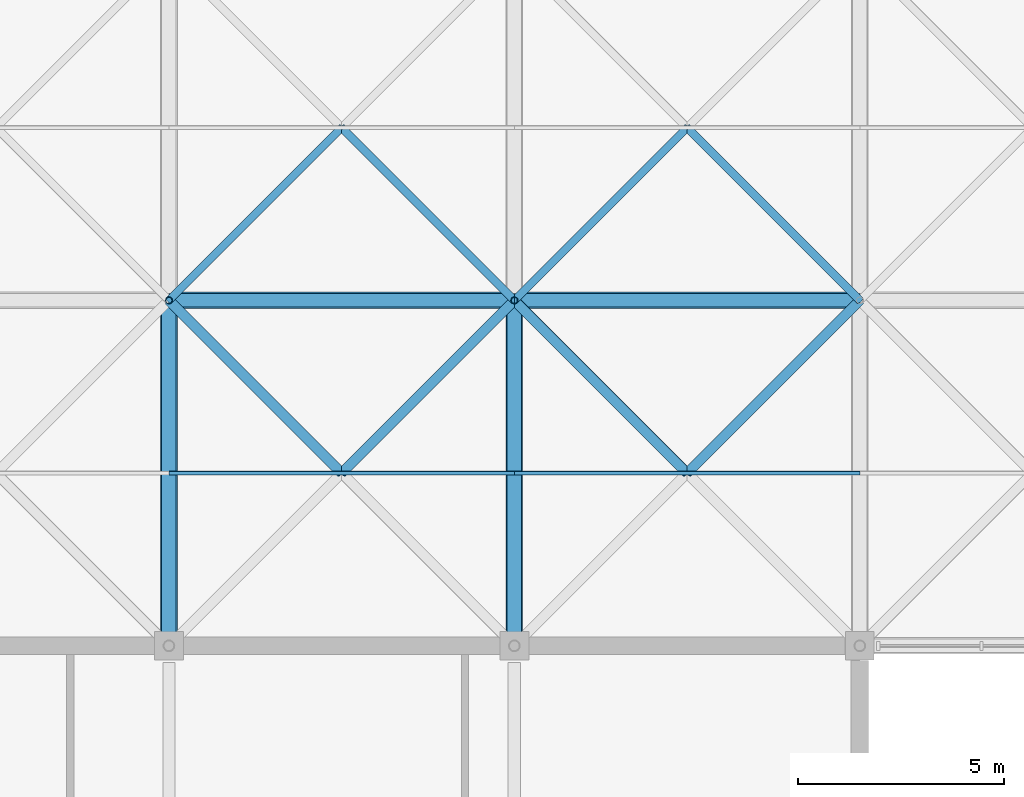
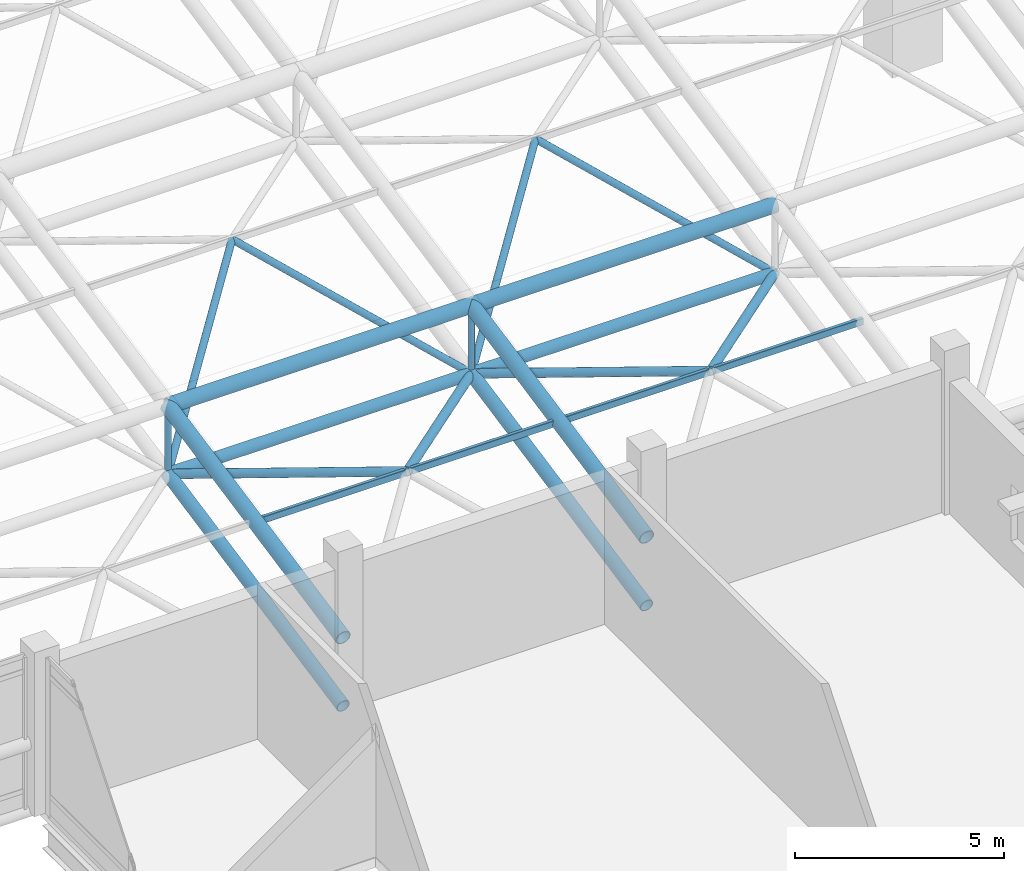
# One storey, part 30 of 110: 20 members.
"""IFC4 building model written with IfcOpenShell, lengths in metres."""

import ifcopenshell
import ifcopenshell.guid

model = None  # the IFC model being written
_history = None  # IfcOwnerHistory: only IFC2X3 demands one
_inside = {}  # id of a spatial element -> (the spatial element, [elements in it])
_under = {}  # id of a project, library or spatial element -> (it, [spatial elements below it])
_declared = {}  # id of a project -> (the project, [libraries it declares])
_typed = {}  # id of a type object -> (the type object, [elements of that type])
_made_of = {}  # id of a material, layer set ... -> (it, [elements and type objects made of it])


def new_model(schema):
    """Start an empty IFC model of exactly this schema.

    Asked for "IFC4X3", IfcOpenShell would pick the latest addendum, in which some entities
    have other attributes; the version numbers below select the first issue.
    IFC2X3 requires an IfcOwnerHistory on every rooted entity: one is made here for all.
    """
    global model, _history
    if schema == "IFC4X3":
        model = ifcopenshell.file(schema_version=(4, 3, 0, 0))
    else:
        model = ifcopenshell.file(schema=schema)
    _inside.clear()
    _under.clear()
    _declared.clear()
    _typed.clear()
    _made_of.clear()
    _history = None
    if model.schema == "IFC2X3":
        org = make("IfcOrganization", Name="unknown")
        user = make(
            "IfcPersonAndOrganization",
            ThePerson=make("IfcPerson", FamilyName="unknown"),
            TheOrganization=org,
        )
        app = make(
            "IfcApplication",
            ApplicationDeveloper=org,
            Version="unknown",
            ApplicationFullName="unknown",
            ApplicationIdentifier="unknown",
        )
        _history = make(
            "IfcOwnerHistory",
            OwningUser=user,
            OwningApplication=app,
            ChangeAction="ADDED",
            CreationDate=0,
        )
    return model


def make(cls, **values):
    """One entity of the class cls with the attributes given. An attribute that is None is left unset."""
    return model.create_entity(
        cls, **{name: value for name, value in values.items() if value is not None}
    )


def rooted(cls, **values):
    """An entity with a GlobalId (a new one), such as an element, a storey or a relation."""
    return make(cls, GlobalId=ifcopenshell.guid.new(), OwnerHistory=_history, **values)


def si_unit(unit_type, name, prefix=None):
    """IfcSIUnit, for example si_unit("LENGTHUNIT", "METRE", prefix="MILLI")."""
    return make("IfcSIUnit", UnitType=unit_type, Prefix=prefix, Name=name)


def assignment(units):
    """IfcUnitAssignment: the units of a project."""
    return None if units is None else make("IfcUnitAssignment", Units=units)


def point(xyz):
    """IfcCartesianPoint."""
    return None if xyz is None else make("IfcCartesianPoint", Coordinates=xyz)


def direction(xyz):
    """IfcDirection."""
    return None if xyz is None else make("IfcDirection", DirectionRatios=xyz)


def frame(location, z_axis=None, x_axis=None):
    """IfcAxis2Placement3D, a coordinate frame: its origin and axes. An axis left out is left unset."""
    return make(
        "IfcAxis2Placement3D",
        Location=point(location),
        Axis=direction(z_axis),
        RefDirection=direction(x_axis),
    )


def frame_2d(location, x_axis=None):
    """IfcAxis2Placement2D, a coordinate frame in the plane: its origin and x axis."""
    return make(
        "IfcAxis2Placement2D", Location=point(location), RefDirection=direction(x_axis)
    )


def origin():
    """The frame at (0, 0, 0) with its axes left unset."""
    return frame((0.0, 0.0, 0.0))


def origin_2d():
    """The frame at (0, 0) in the plane with its x axis left unset."""
    return frame_2d((0.0, 0.0))


def place(relative_to, where):
    """IfcLocalPlacement: puts the frame where relative to a parent placement (None: the world)."""
    return make(
        "IfcLocalPlacement", PlacementRelTo=relative_to, RelativePlacement=where
    )


def context(
    kind, dimensions, precision=None, world=None, true_north=None, identifier=None
):
    """IfcGeometricRepresentationContext, for example the 3D "Model" context."""
    return make(
        "IfcGeometricRepresentationContext",
        ContextIdentifier=identifier,
        ContextType=kind,
        CoordinateSpaceDimension=dimensions,
        Precision=precision,
        WorldCoordinateSystem=world,
        TrueNorth=true_north,
    )


def subcontext(parent, identifier, kind, view, scale=None):
    """IfcGeometricRepresentationSubContext, for example "Body" below "Model"."""
    return make(
        "IfcGeometricRepresentationSubContext",
        ContextIdentifier=identifier,
        ContextType=kind,
        ParentContext=parent,
        TargetScale=scale,
        TargetView=view,
    )


def project(units=None, contexts=None):
    """IfcProject with its units and contexts."""
    return rooted(
        "IfcProject",
        Name="project",
        RepresentationContexts=contexts,
        UnitsInContext=assignment(units),
    )


def spatial(cls, under=None, at=None, **own):
    """A site, building, storey or space (cls), placed at a placement, below another one or the project."""
    s = rooted(cls, ObjectPlacement=at, **own)
    if under is not None:
        _under.setdefault(under.id(), (under, []))[1].append(s)
    return s


def profile(cls, at=None, kind="AREA", **sizes):
    """A parametric profile (cls). Its sizes go by their IFC names, for example OverallWidth=200.0."""
    return make(cls, ProfileType=kind, Position=at, **sizes)


def hollow_rectangle(**sizes):
    """IfcRectangleHollowProfileDef."""
    return profile("IfcRectangleHollowProfileDef", **sizes)


def hollow_circle(**sizes):
    """IfcCircleHollowProfileDef."""
    return profile("IfcCircleHollowProfileDef", **sizes)


def extrude(swept, where, along, depth):
    """IfcExtrudedAreaSolid: the profile swept, set in the frame where, extruded along a direction by depth."""
    return make(
        "IfcExtrudedAreaSolid",
        SweptArea=swept,
        Position=where,
        ExtrudedDirection=direction(along),
        Depth=depth,
    )


def shape(context_of_items, identifier, shape_type, items):
    """IfcShapeRepresentation: the items that make up one representation, for example the "Body"."""
    return make(
        "IfcShapeRepresentation",
        ContextOfItems=context_of_items,
        RepresentationIdentifier=identifier,
        RepresentationType=shape_type,
        Items=items,
    )


def material(Name=None, Category=None):
    """IfcMaterial."""
    return make("IfcMaterial", Name=Name, Category=Category)


def material_profile(
    of_material, cross_section, Name=None, Category=None, Priority=None
):
    """IfcMaterialProfile: a cross section and its material."""
    return make(
        "IfcMaterialProfile",
        Name=Name,
        Material=of_material,
        Profile=cross_section,
        Priority=Priority,
        Category=Category,
    )


def profile_set(profiles, Name=None, composite=None):
    """IfcMaterialProfileSet."""
    return make(
        "IfcMaterialProfileSet",
        Name=Name,
        MaterialProfiles=profiles,
        CompositeProfile=composite,
    )


def made_of(thing, what):
    """Note that an element or type object is made of a material, layer set ...; save() writes the relation."""
    if what is not None:
        _made_of.setdefault(what.id(), (what, []))[1].append(thing)
    return thing


def type_object(cls, material=None, **own):
    """A type object (cls), such as IfcWallType, which elements share."""
    return made_of(rooted(cls, **own), material)


def element(
    cls,
    number,
    at=None,
    inside=None,
    cuts=None,
    type_object=None,
    material=None,
    context=None,
    identifier="Body",
    shape_type=None,
    held_by="IfcProductDefinitionShape",
    body=None,
    shapes=None,
    **own,
):
    """One element of the class cls, such as IfcWall. Its Tag is "e" and its number.

    at: its placement. inside: the storey or other place that contains it. cuts: it is an
    opening in that element (IfcRelVoidsElement). A single representation is given by context,
    identifier, shape_type and body (its items); several are given by shapes. held_by: the class
    of the entity that holds the representations. save() writes the other relations.
    """
    e = rooted(cls, Tag="e%d" % number, ObjectPlacement=at, **own)
    if body is not None:
        shapes = [shape(context, identifier, shape_type, body)]
    if shapes is not None:
        e.Representation = make(held_by, Representations=shapes)
    if inside is not None:
        _inside.setdefault(inside.id(), (inside, []))[1].append(e)
    if cuts is not None:
        rooted(
            "IfcRelVoidsElement", RelatingBuildingElement=cuts, RelatedOpeningElement=e
        )
    if type_object is not None:
        _typed.setdefault(type_object.id(), (type_object, []))[1].append(e)
    return made_of(e, material)


def aggregate(whole, parts):
    """IfcRelAggregates: a whole, such as a stair, and the parts it consists of."""
    return rooted("IfcRelAggregates", RelatingObject=whole, RelatedObjects=parts)


def save(model, path):
    """Write the relations noted so far, then the file.

    IfcRelAggregates (storeys below a building ...), IfcRelContainedInSpatialStructure (elements
    in a storey), IfcRelDefinesByType, IfcRelAssociatesMaterial and IfcRelDeclares: one each for
    every whole, place, type object, material and project.
    """
    for whole, parts in _under.values():
        aggregate(whole, parts)
    for where, things in _inside.values():
        rooted(
            "IfcRelContainedInSpatialStructure",
            RelatedElements=things,
            RelatingStructure=where,
        )
    for kind, things in _typed.values():
        rooted("IfcRelDefinesByType", RelatedObjects=things, RelatingType=kind)
    for what, things in _made_of.values():
        rooted("IfcRelAssociatesMaterial", RelatedObjects=things, RelatingMaterial=what)
    for by, libraries in _declared.values():
        rooted("IfcRelDeclares", RelatingContext=by, RelatedDefinitions=libraries)
    model.write(path)


model = new_model("IFC4")

# Units and contexts
model_context = context("Model", 3, precision=1e-05, world=origin(), true_north=direction((0.0, 1.0)))
body_context = subcontext(model_context, "Body", "Model", "MODEL_VIEW")
ifc_project = project(units=[si_unit("LENGTHUNIT", "METRE"), si_unit("AREAUNIT", "SQUARE_METRE"), si_unit("VOLUMEUNIT", "CUBIC_METRE"), si_unit("PLANEANGLEUNIT", "RADIAN"), si_unit("MASSUNIT", "GRAM", prefix="KILO")], contexts=[model_context])

# Site, building, storey
site_placement = place(None, origin())
site = spatial("IfcSite", under=ifc_project, at=site_placement, CompositionType="ELEMENT")
building_placement = place(site_placement, origin())
building = spatial("IfcBuilding", under=site, at=building_placement, Name="Qawsi Khor Wholesale Market", CompositionType="ELEMENT")
storey_placement = place(building_placement, frame((0.0, 0.0, 11.39990234375)))
storey = spatial("IfcBuildingStorey", under=building, at=storey_placement, Name="L02", CompositionType="ELEMENT", Elevation=11.39990234375)

# Members
ifc_material = material(Name="Steel S355", Category="steel")
ifc_material_profile_1 = material_profile(ifc_material, hollow_circle(Radius=0.177734375, WallThickness=0.01611328125, at=origin_2d()), Name="CHS 355.6x16.0")
ifc_profile_set_1 = profile_set([ifc_material_profile_1], Name="Steel S355")
member_type_1 = type_object("IfcMemberType", Name="Space-Frame Bottom Chord CHS 355.6x16.0", PredefinedType="CHORD", material=ifc_profile_set_1)
for number, where, z_axis, x_axis, name in (
    (1, (176.39990234375, 42.0, -0.02978515625), (0.0, 0.980129990483, 0.1983562496), (-1.0, 0.0, 0.0), "Space frame bottom chord Y EH (21,5)"),
    (2, (184.800048828125, 42.0, -0.02978515625), (0.0, 0.980129990483, 0.1983562496), (-1.0, 0.0, 0.0), "Space frame bottom chord Y EH (22,5)"),
):
    element("IfcMember", number, at=place(storey_placement, frame(where, z_axis=z_axis, x_axis=x_axis)), inside=storey, type_object=member_type_1, Name=name, PredefinedType="CHORD", context=body_context, shape_type="SweptSolid", body=[
        extrude(hollow_circle(Radius=0.177734375, WallThickness=0.01611328125, at=origin_2d()), origin(), (0.0, 0.0, 1.0), 8.5703125),
    ])
ifc_material_profile_2 = material_profile(ifc_material, hollow_circle(Radius=0.122314453125, WallThickness=0.012451171875, at=origin_2d()), Name="CHS 244.5x12.5")
ifc_profile_set_2 = profile_set([ifc_material_profile_2], Name="Steel S355")
member_type_2 = type_object("IfcMemberType", Name="Space-Frame Heavy Diagonal CHS 244.5x12.5", PredefinedType="POST", material=ifc_profile_set_2)
member_1_placement = place(storey_placement, frame((184.800048828125, 50.39990234375, 1.670166015625), z_axis=(-0.694216714393, -0.694216714393, 0.190069216113), x_axis=(0.707106781187, -0.707106781187, 0.0)))
element("IfcMember", 3, at=member_1_placement, inside=storey, type_object=member_type_2, Name="Space frame diagonal EH (21,5)-3", PredefinedType="POST", context=body_context, shape_type="SweptSolid", body=[
    extrude(hollow_circle(Radius=0.122314453125, WallThickness=0.012451171875, at=origin_2d()), origin(), (0.0, 0.0, 1.0), 6.0498046875),
])
member_2_placement = place(storey_placement, frame((176.39990234375, 50.39990234375, 1.670166015625), z_axis=(0.694237619642, -0.694197266374, 0.19006389145), x_axis=(0.70708622964, 0.707127332136, 0.0)))
element("IfcMember", 4, at=member_2_placement, inside=storey, type_object=member_type_2, Name="Space frame diagonal EH (21,5)-4", PredefinedType="POST", context=body_context, shape_type="SweptSolid", body=[
    extrude(hollow_circle(Radius=0.122314453125, WallThickness=0.012451171875, at=origin_2d()), origin(), (0.0, 0.0, 1.0), 6.050048828125),
])
for number, where, z_axis, x_axis, name in (
    (5, (193.199951171875, 50.39990234375, 1.670166015625), (-0.694216714393, -0.694216714393, 0.190069216113), (0.707106781187, -0.707106781187, 0.0), "Space frame diagonal EH (22,5)-3"),
    (6, (184.800048828125, 50.39990234375, 1.670166015625), (0.694216714393, -0.694216714393, 0.190069216113), (0.707106781187, 0.707106781187, 0.0), "Space frame diagonal EH (22,5)-4"),
):
    element("IfcMember", number, at=place(storey_placement, frame(where, z_axis=z_axis, x_axis=x_axis)), inside=storey, type_object=member_type_2, Name=name, PredefinedType="POST", context=body_context, shape_type="SweptSolid", body=[
        extrude(hollow_circle(Radius=0.122314453125, WallThickness=0.012451171875, at=origin_2d()), origin(), (0.0, 0.0, 1.0), 6.0498046875),
    ])
ifc_material_profile_3 = material_profile(ifc_material, hollow_rectangle(XDim=0.10009765625, YDim=0.199951171875, WallThickness=0.008056640625, InnerFilletRadius=0.008056640625, OuterFilletRadius=0.01611328125, at=origin_2d()), Name="RHS 200x100x8.0")
ifc_profile_set_3 = profile_set([ifc_material_profile_3], Name="Steel S355")
member_type_3 = type_object("IfcMemberType", Name="Space-Frame Purlin RHS 200x100x8.0", PredefinedType="PURLIN", material=ifc_profile_set_3)
member_3_placement = place(storey_placement, frame((176.39990234375, 46.199951171875, 2.820068359375), z_axis=(1.0, 0.0, 0.0), x_axis=(0.0, 1.0, 0.0)))
element("IfcMember", 7, at=member_3_placement, inside=storey, type_object=member_type_3, Name="Space frame purlin EH (21,5)", PredefinedType="PURLIN", context=body_context, shape_type="SweptSolid", body=[
    extrude(hollow_rectangle(XDim=0.10009765625, YDim=0.199951171875, WallThickness=0.008056640625, InnerFilletRadius=0.008056640625, OuterFilletRadius=0.01611328125, at=origin_2d()), origin(), (0.0, 0.0, 1.0), 8.400146484375),
])
member_4_placement = place(storey_placement, frame((184.800048828125, 46.199951171875, 2.820068359375), z_axis=(1.0, 0.0, 0.0), x_axis=(0.0, 1.0, 0.0)))
element("IfcMember", 8, at=member_4_placement, inside=storey, type_object=member_type_3, Name="Space frame purlin EH (22,5)", PredefinedType="PURLIN", context=body_context, shape_type="SweptSolid", body=[
    extrude(hollow_rectangle(XDim=0.10009765625, YDim=0.199951171875, WallThickness=0.008056640625, InnerFilletRadius=0.008056640625, OuterFilletRadius=0.01611328125, at=origin_2d()), origin(), (0.0, 0.0, 1.0), 8.39990234375),
])
ifc_material_profile_4 = material_profile(ifc_material, hollow_circle(Radius=0.161865234375, WallThickness=0.01611328125, at=origin_2d()), Name="CHS 323.9x16.0")
ifc_profile_set_4 = profile_set([ifc_material_profile_4], Name="Steel S355")
member_type_4 = type_object("IfcMemberType", Name="Space-Frame Secondary Chord CHS 323.9x16.0", PredefinedType="CHORD", material=ifc_profile_set_4)
member_5_placement = place(storey_placement, frame((176.39990234375, 50.39990234375, 1.670166015625), z_axis=(1.0, 0.0, 0.0), x_axis=(0.0, 1.0, 0.0)))
element("IfcMember", 9, at=member_5_placement, inside=storey, type_object=member_type_4, Name="Space frame bottom chord X EH (21,6)", PredefinedType="CHORD", context=body_context, shape_type="SweptSolid", body=[
    extrude(hollow_circle(Radius=0.161865234375, WallThickness=0.01611328125, at=origin_2d()), origin(), (0.0, 0.0, 1.0), 8.400146484375),
])
member_6_placement = place(storey_placement, frame((184.800048828125, 50.39990234375, 1.670166015625), z_axis=(1.0, 0.0, 0.0), x_axis=(0.0, 1.0, 0.0)))
element("IfcMember", 10, at=member_6_placement, inside=storey, type_object=member_type_4, Name="Space frame bottom chord X EH (22,6)", PredefinedType="CHORD", context=body_context, shape_type="SweptSolid", body=[
    extrude(hollow_circle(Radius=0.161865234375, WallThickness=0.01611328125, at=origin_2d()), origin(), (0.0, 0.0, 1.0), 8.39990234375),
])
ifc_material_profile_5 = material_profile(ifc_material, hollow_circle(Radius=0.096923828125, WallThickness=0.008056640625, at=origin_2d()), Name="CHS 193.7x8.0")
ifc_profile_set_5 = profile_set([ifc_material_profile_5], Name="Steel S355")
member_type_5 = type_object("IfcMemberType", Name="Space-Frame Secondary Diagonal CHS 193.7x8.0", PredefinedType="RAFTER", material=ifc_profile_set_5)
for number, where, z_axis, x_axis, name in (
    (11, (176.39990234375, 50.39990234375, 1.670166015625), (0.637528895855, 0.637528895855, 0.432566542741), (-0.707106781187, 0.707106781187, 0.0), "Space frame diagonal EH (21,6)-1"),
    (12, (184.800048828125, 50.39990234375, 1.670166015625), (-0.637506899628, 0.637543957519, 0.432576762155), (-0.707127332136, -0.70708622964, 0.0), "Space frame diagonal EH (21,6)-2"),
    (13, (184.800048828125, 50.39990234375, 1.670166015625), (0.637506899628, 0.637543957519, 0.432576762155), (-0.707127332136, 0.70708622964, 0.0), "Space frame diagonal EH (22,6)-1"),
    (14, (193.199951171875, 50.39990234375, 1.670166015625), (-0.637506899628, 0.637543957519, 0.432576762155), (-0.707127332136, -0.70708622964, 0.0), "Space frame diagonal EH (22,6)-2"),
):
    element("IfcMember", number, at=place(storey_placement, frame(where, z_axis=z_axis, x_axis=x_axis)), inside=storey, type_object=member_type_5, Name=name, PredefinedType="RAFTER", context=body_context, shape_type="SweptSolid", body=[
        extrude(hollow_circle(Radius=0.096923828125, WallThickness=0.008056640625, at=origin_2d()), origin(), (0.0, 0.0, 1.0), 6.588134765625),
    ])
ifc_material_profile_6 = material_profile(ifc_material, hollow_circle(Radius=0.203125, WallThickness=0.02001953125, at=origin_2d()), Name="CHS 406.4x20.0")
ifc_profile_set_6 = profile_set([ifc_material_profile_6], Name="Steel S355")
member_type_6 = type_object("IfcMemberType", Name="Space-Frame Top Chord CHS 406.4x20.0", PredefinedType="CHORD", material=ifc_profile_set_6)
member_7_placement = place(storey_placement, frame((176.39990234375, 42.0, 1.97021484375), z_axis=(0.0, 0.980129990483, 0.1983562496), x_axis=(-1.0, 0.0, 0.0)))
element("IfcMember", 15, at=member_7_placement, inside=storey, type_object=member_type_6, Name="Space frame top chord Y EH (21,5)", PredefinedType="CHORD", context=body_context, shape_type="SweptSolid", body=[
    extrude(hollow_circle(Radius=0.203125, WallThickness=0.02001953125, at=origin_2d()), origin(), (0.0, 0.0, 1.0), 8.5703125),
])
member_8_placement = place(storey_placement, frame((176.39990234375, 50.39990234375, 3.670166015625), z_axis=(1.0, 0.0, 0.0), x_axis=(0.0, 1.0, 0.0)))
element("IfcMember", 16, at=member_8_placement, inside=storey, type_object=member_type_6, Name="Space frame top chord X EH (21,6)", PredefinedType="CHORD", context=body_context, shape_type="SweptSolid", body=[
    extrude(hollow_circle(Radius=0.203125, WallThickness=0.02001953125, at=origin_2d()), origin(), (0.0, 0.0, 1.0), 8.400146484375),
])
member_9_placement = place(storey_placement, frame((184.800048828125, 42.0, 1.97021484375), z_axis=(0.0, 0.980129990483, 0.1983562496), x_axis=(-1.0, 0.0, 0.0)))
element("IfcMember", 17, at=member_9_placement, inside=storey, type_object=member_type_6, Name="Space frame top chord Y EH (22,5)", PredefinedType="CHORD", context=body_context, shape_type="SweptSolid", body=[
    extrude(hollow_circle(Radius=0.203125, WallThickness=0.02001953125, at=origin_2d()), origin(), (0.0, 0.0, 1.0), 8.5703125),
])
member_10_placement = place(storey_placement, frame((184.800048828125, 50.39990234375, 3.670166015625), z_axis=(1.0, 0.0, 0.0), x_axis=(0.0, 1.0, 0.0)))
element("IfcMember", 18, at=member_10_placement, inside=storey, type_object=member_type_6, Name="Space frame top chord X EH (22,6)", PredefinedType="CHORD", context=body_context, shape_type="SweptSolid", body=[
    extrude(hollow_circle(Radius=0.203125, WallThickness=0.02001953125, at=origin_2d()), origin(), (0.0, 0.0, 1.0), 8.39990234375),
])
ifc_material_profile_7 = material_profile(ifc_material, hollow_circle(Radius=0.084228515625, WallThickness=0.008056640625, at=origin_2d()), Name="CHS 168.3x8.0")
ifc_profile_set_7 = profile_set([ifc_material_profile_7], Name="Steel S355")
member_type_7 = type_object("IfcMemberType", Name="Space-Frame Vertical Strut CHS 168.3x8.0", PredefinedType="STRUT", material=ifc_profile_set_7)
for number, where, z_axis, x_axis, name in (
    (19, (176.39990234375, 50.39990234375, 1.670166015625), (0.0, 0.0, 1.0), (1.0, 0.0, 0.0), "Space frame post EH (21,6)"),
    (20, (184.800048828125, 50.39990234375, 1.670166015625), (0.0, 0.0, 1.0), (1.0, 0.0, 0.0), "Space frame post EH (22,6)"),
):
    element("IfcMember", number, at=place(storey_placement, frame(where, z_axis=z_axis, x_axis=x_axis)), inside=storey, type_object=member_type_7, Name=name, PredefinedType="STRUT", context=body_context, shape_type="SweptSolid", body=[
        extrude(hollow_circle(Radius=0.084228515625, WallThickness=0.008056640625, at=origin_2d()), origin(), (0.0, 0.0, 1.0), 2.0),
    ])

save(model, "model.ifc")
